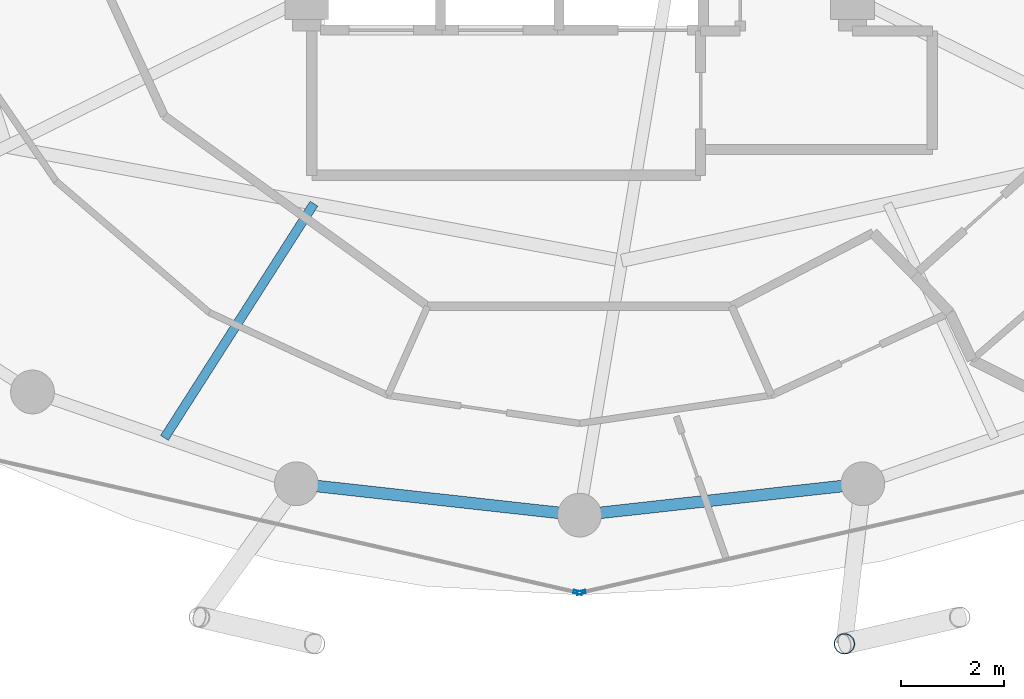
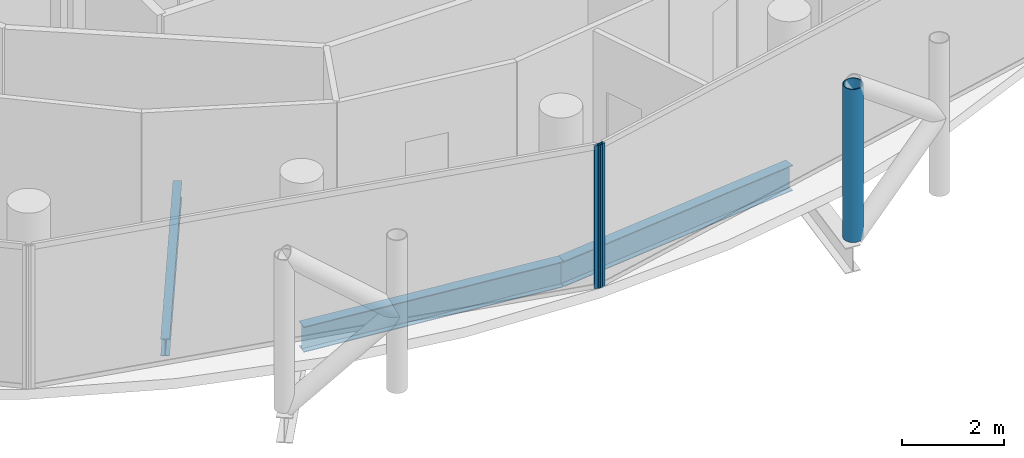
# One storey, part 5 of 27: 3 beams, 3 members, 2 elements without a shape of their own.
"""IFC4 building model written with IfcOpenShell, lengths in metres."""

from ifc_helpers import new_model, si_unit, direction, frame, origin, origin_2d, place, context, subcontext, project, spatial, hollow_rectangle, hollow_circle, i_section, extrude, material, layer, layer_set, material_profile, profile_set, type_object, element, aggregate, save


model = new_model("IFC4")

# Units and contexts
model_context = context("Model", 3, precision=1e-05, world=origin(), true_north=direction((0.0, 1.0)))
body_context = subcontext(model_context, "Body", "Model", "MODEL_VIEW")
ifc_project = project(units=[si_unit("LENGTHUNIT", "METRE"), si_unit("AREAUNIT", "SQUARE_METRE"), si_unit("VOLUMEUNIT", "CUBIC_METRE"), si_unit("PLANEANGLEUNIT", "RADIAN"), si_unit("MASSUNIT", "GRAM", prefix="KILO")], contexts=[model_context])

# Site, building, storey
site_placement = place(None, origin())
site = spatial("IfcSite", under=ifc_project, at=site_placement, CompositionType="ELEMENT")
building_placement = place(site_placement, origin())
building = spatial("IfcBuilding", under=site, at=building_placement, Name="Nuhasar Tower", CompositionType="ELEMENT")
storey_placement = place(building_placement, frame((0.0, 0.0, 219.10009765625)))
storey = spatial("IfcBuildingStorey", under=building, at=storey_placement, Name="L53", CompositionType="ELEMENT", Elevation=219.10009765625)

# Beams
ifc_material_1 = material(Name="Steel S355", Category="steel")
ifc_material_profile_1 = material_profile(ifc_material_1, i_section(OverallWidth=0.177978515625, OverallDepth=0.406005859375, WebThickness=0.0078125, FlangeThickness=0.0126953125, at=origin_2d()), Name="W16X40")
ifc_profile_set_1 = profile_set([ifc_material_profile_1], Name="Steel S355")
beam_type_1 = type_object("IfcBeamType", Name="BM-JST-W16X40", PredefinedType="JOIST", material=ifc_profile_set_1)
beam_placement = place(storey_placement, frame((33.842041015625, 14.998046875, -0.443115234375), z_axis=(-0.538168818546, -0.842837067733, 0.0), x_axis=(0.842837067733, -0.538168818546, 0.0)))
element("IfcBeam", 1, at=beam_placement, inside=storey, type_object=beam_type_1, Name="L53 Secondary Floor Joist 01", PredefinedType="JOIST", context=body_context, shape_type="SweptSolid", body=[
    extrude(i_section(OverallWidth=0.177978515625, OverallDepth=0.406005859375, WebThickness=0.0078125, FlangeThickness=0.0126953125, at=origin_2d()), origin(), (0.0, 0.0, 1.0), 5.396240234375),
])
ifc_material_profile_2 = material_profile(ifc_material_1, i_section(OverallWidth=0.22802734375, OverallDepth=0.60791015625, WebThickness=0.01123046875, FlangeThickness=0.017333984375, at=origin_2d()), Name="W24X76")
ifc_profile_set_2 = profile_set([ifc_material_profile_2], Name="Steel S355")
beam_type_2 = type_object("IfcBeamType", Name="BM-RING-W24X76", PredefinedType="SPANDREL", material=ifc_profile_set_2)
for number, where, z_axis, x_axis, name in (
    (2, (33.5, 9.55810546875, -0.544189453125), (0.993942242238, -0.109903680993, 0.0), (0.109903680993, 0.993942242238, 0.0), "L53 Perimeter Ring Spandrel 18"),
    (3, (39.0, 8.949951171875, -0.544189453125), (0.993942242238, 0.109903680993, 0.0), (-0.109903680993, 0.993942242238, 0.0), "L53 Perimeter Ring Spandrel 19"),
):
    element("IfcBeam", number, at=place(storey_placement, frame(where, z_axis=z_axis, x_axis=x_axis)), inside=storey, type_object=beam_type_2, Name=name, PredefinedType="SPANDREL", context=body_context, shape_type="SweptSolid", body=[
        extrude(i_section(OverallWidth=0.22802734375, OverallDepth=0.60791015625, WebThickness=0.01123046875, FlangeThickness=0.017333984375, at=origin_2d()), origin(), (0.0, 0.0, 1.0), 5.533447265625),
    ])

# Curtain wall, member
ifc_material_2 = material(Name="Aluminium 6063-T6", Category="aluminium")
ifc_layer = layer(ifc_material_2, 0.18994140625)
ifc_layer_set = layer_set([ifc_layer], Name="Aluminium 6063-T6")
curtain_wall_type = type_object("IfcCurtainWallType", Name="CW-Z3-RES", PredefinedType="NOTDEFINED", material=ifc_layer_set)
curtain_wall_1_placement = place(storey_placement, origin())
curtain_wall_1 = element("IfcCurtainWall", 4, at=curtain_wall_1_placement, inside=storey, type_object=curtain_wall_type, Name="L53 Unitised Curtain Wall 09", PredefinedType="NOTDEFINED")
ifc_material_profile_3 = material_profile(ifc_material_2, hollow_rectangle(XDim=0.06494140625, YDim=0.169921875, WallThickness=0.0048828125, at=origin_2d()), Name="CWM-4")
ifc_profile_set_3 = profile_set([ifc_material_profile_3], Name="Aluminium 6063-T6")
member_type_1 = type_object("IfcMemberType", Name="CW-MUL-S4", PredefinedType="MULLION", material=ifc_profile_set_3)
member_1_placement = place(storey_placement, frame((38.96826171875, 7.447265625, 0.0), z_axis=(0.0, 0.0, 1.0), x_axis=(0.222243176313, 0.974991266926, 0.0)))
member_1 = element("IfcMember", 5, at=member_1_placement, type_object=member_type_1, Name="CW-Z3 mullion 2", PredefinedType="MULLION", context=body_context, shape_type="SweptSolid", body=[
    extrude(hollow_rectangle(XDim=0.06494140625, YDim=0.169921875, WallThickness=0.0048828125, at=origin_2d()), origin(), (0.0, 0.0, 1.0), 3.409912109375),
])
aggregate(curtain_wall_1, [member_1])

curtain_wall_2_placement = place(storey_placement, origin())
curtain_wall_2 = element("IfcCurtainWall", 6, at=curtain_wall_2_placement, inside=storey, type_object=curtain_wall_type, Name="L53 Unitised Curtain Wall 10", PredefinedType="NOTDEFINED")
member_2_placement = place(storey_placement, frame((39.03173828125, 7.447265625, 0.0), z_axis=(0.0, 0.0, 1.0), x_axis=(-0.222243176313, 0.974991266926, 0.0)))
member_2 = element("IfcMember", 7, at=member_2_placement, type_object=member_type_1, Name="CW-Z3 mullion 1", PredefinedType="MULLION", context=body_context, shape_type="SweptSolid", body=[
    extrude(hollow_rectangle(XDim=0.06494140625, YDim=0.169921875, WallThickness=0.0048828125, at=origin_2d()), origin(), (0.0, 0.0, 1.0), 3.409912109375),
])
aggregate(curtain_wall_2, [member_2])

# Member
ifc_material_3 = material(Name="Steel S460", Category="steel")
ifc_material_profile_4 = material_profile(ifc_material_3, hollow_circle(Radius=0.203125, WallThickness=0.01904296875, at=origin_2d()), Name="HSS406.4X19.1")
ifc_profile_set_4 = profile_set([ifc_material_profile_4], Name="Steel S460")
member_type_2 = type_object("IfcMemberType", Name="EXO-BRONZE-406", PredefinedType="BRACE", material=ifc_profile_set_4)
member_3_placement = place(storey_placement, frame((44.14306640625, 6.450927734375, 0.0), z_axis=(0.0, 0.0, 1.0), x_axis=(1.0, 0.0, 0.0)))
element("IfcMember", 8, at=member_3_placement, inside=storey, type_object=member_type_2, Name="L53 Exoskeleton Chord Column EC-10A", PredefinedType="BRACE", context=body_context, shape_type="SweptSolid", body=[
    extrude(hollow_circle(Radius=0.203125, WallThickness=0.01904296875, at=origin_2d()), origin(), (0.0, 0.0, 1.0), 3.64990234375),
])

save(model, "model.ifc")
